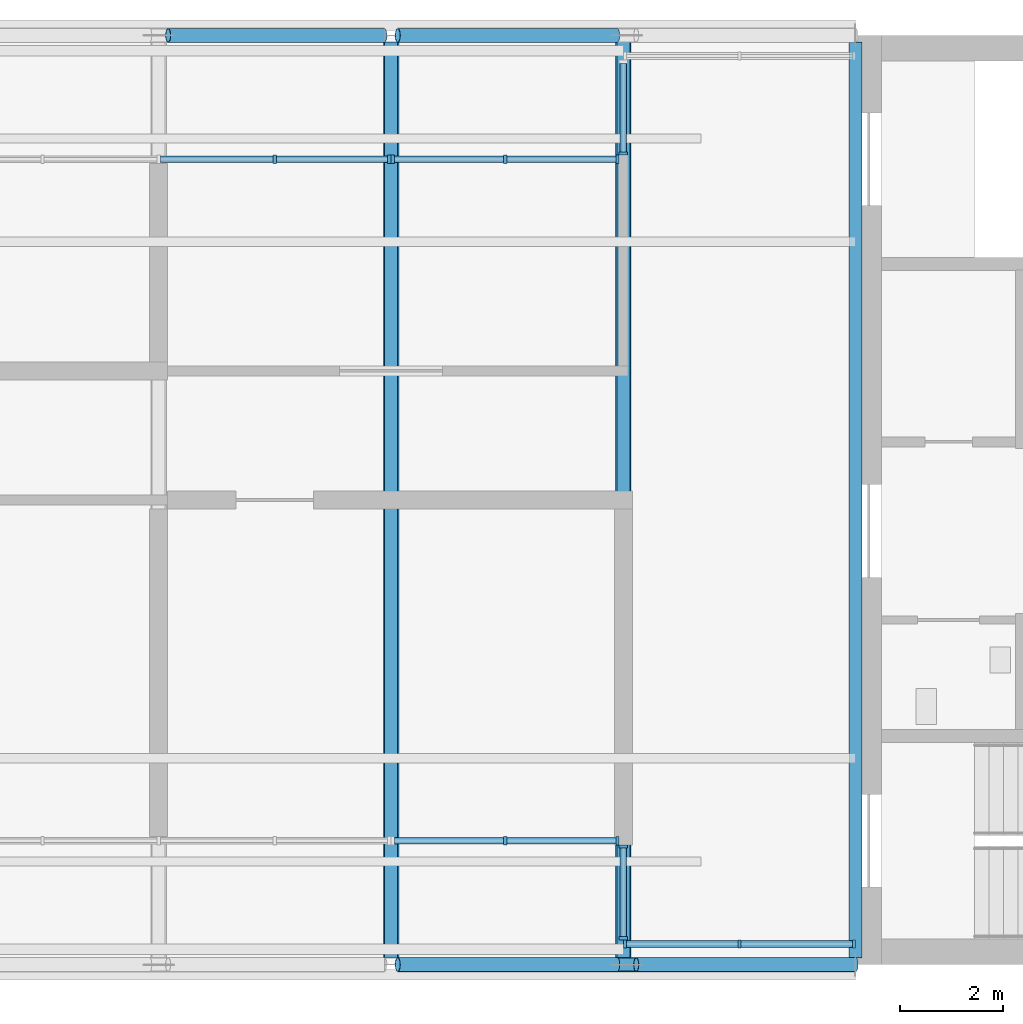
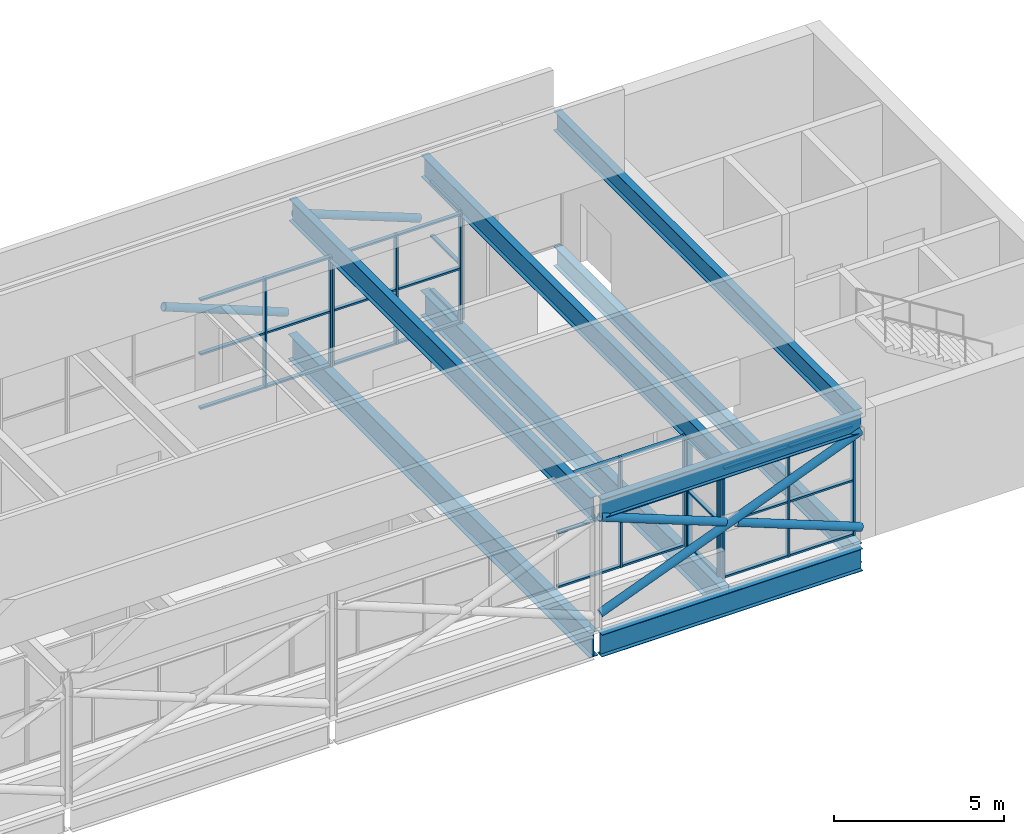
# One storey, part 4 of 13: 48 members, 8 beams, 6 elements without a shape of their own.
"""IFC4 building model written with IfcOpenShell, lengths in metres."""

from ifc_helpers import new_model, si_unit, direction, frame, origin, origin_2d, place, context, subcontext, project, spatial, rectangle, hollow_circle, i_section, extrude, material, layer, layer_set, material_profile, profile_set, type_object, element, aggregate, save


model = new_model("IFC4")

# Units and contexts
model_context = context("Model", 3, precision=1e-05, world=origin(), true_north=direction((0.0, 1.0)))
body_context = subcontext(model_context, "Body", "Model", "MODEL_VIEW")
ifc_project = project(units=[si_unit("LENGTHUNIT", "METRE"), si_unit("AREAUNIT", "SQUARE_METRE"), si_unit("VOLUMEUNIT", "CUBIC_METRE"), si_unit("PLANEANGLEUNIT", "RADIAN"), si_unit("MASSUNIT", "GRAM", prefix="KILO")], contexts=[model_context])

# Site, building, storey
site_placement = place(None, origin())
site = spatial("IfcSite", under=ifc_project, at=site_placement, CompositionType="ELEMENT")
building_placement = place(site_placement, origin())
building = spatial("IfcBuilding", under=site, at=building_placement, Name="Corbel Yard City Hall", CompositionType="ELEMENT")
storey_placement = place(building_placement, frame((0.0, 0.0, 71.199951171875)))
storey = spatial("IfcBuildingStorey", under=building, at=storey_placement, Name="L17", CompositionType="ELEMENT", Elevation=71.199951171875)

# Members
ifc_material_1 = material(Name="Steel Grade C350L0", Category="steel")
ifc_material_profile_1 = material_profile(ifc_material_1, hollow_circle(Radius=0.136474609375, WallThickness=0.00927734375, at=origin_2d()), Name="273.1x9.3CHS")
ifc_profile_set_1 = profile_set([ifc_material_profile_1], Name="Steel Grade C350L0")
member_type_1 = type_object("IfcMemberType", Name="Crown brace 273.1x9.3CHS", PredefinedType="BRACE", material=ifc_profile_set_1)
member_1_placement = place(storey_placement, frame((36.1298828125, 99.0, 0.5), z_axis=(0.93155453229, 0.0, 0.363601641044), x_axis=(0.0, 1.0, 0.0)))
element("IfcMember", 1, at=member_1_placement, inside=storey, type_object=member_type_1, Name="Crown brace 273.1x9.3CHS BX1", PredefinedType="BRACE", context=body_context, shape_type="SweptSolid", body=[
    extrude(hollow_circle(Radius=0.136474609375, WallThickness=0.00927734375, at=origin_2d()), origin(), (0.0, 0.0, 1.0), 9.521728515625),
])
ifc_material_profile_2 = material_profile(ifc_material_1, hollow_circle(Radius=0.136474609375, WallThickness=0.00927734375, at=origin_2d()), Name="273.1x9.3CHS")
ifc_profile_set_2 = profile_set([ifc_material_profile_2], Name="Steel Grade C350L0")
member_type_2 = type_object("IfcMemberType", Name="Crown half brace 273.1x9.3CHS", PredefinedType="BRACE", material=ifc_profile_set_2)
member_2_placement = place(storey_placement, frame((36.1298828125, 99.0, 3.962158203125), z_axis=(0.931555075549, 0.0, -0.363600249202), x_axis=(0.0, 1.0, 0.0)))
element("IfcMember", 2, at=member_2_placement, inside=storey, type_object=member_type_2, Name="Crown half brace 273.1x9.3CHS BX2", PredefinedType="BRACE", context=body_context, shape_type="SweptSolid", body=[
    extrude(hollow_circle(Radius=0.136474609375, WallThickness=0.00927734375, at=origin_2d()), origin(), (0.0, 0.0, 1.0), 4.5625),
])
member_3_placement = place(storey_placement, frame((40.75, 99.0, 2.158935546875), z_axis=(0.931548000726, 0.0, -0.363618374594), x_axis=(0.0, 1.0, 0.0)))
element("IfcMember", 3, at=member_3_placement, inside=storey, type_object=member_type_2, Name="Crown half brace 273.1x9.3CHS BX2", PredefinedType="BRACE", context=body_context, shape_type="SweptSolid", body=[
    extrude(hollow_circle(Radius=0.136474609375, WallThickness=0.00927734375, at=origin_2d()), origin(), (0.0, 0.0, 1.0), 4.562255859375),
])
member_4_placement = place(storey_placement, frame((31.6826171875, 117.0, 2.15869140625), z_axis=(0.929720022455, 0.0, -0.368267131096), x_axis=(0.0, 1.0, 0.0)))
element("IfcMember", 4, at=member_4_placement, inside=storey, type_object=member_type_2, Name="Crown half brace 273.1x9.3CHS BX2", PredefinedType="BRACE", context=body_context, shape_type="SweptSolid", body=[
    extrude(hollow_circle(Radius=0.136474609375, WallThickness=0.00927734375, at=origin_2d()), origin(), (0.0, 0.0, 1.0), 4.504150390625),
])
member_5_placement = place(storey_placement, frame((36.1298828125, 117.0, 3.962158203125), z_axis=(0.931555075549, 0.0, -0.363600249202), x_axis=(0.0, 1.0, 0.0)))
element("IfcMember", 5, at=member_5_placement, inside=storey, type_object=member_type_2, Name="Crown half brace 273.1x9.3CHS BX2", PredefinedType="BRACE", context=body_context, shape_type="SweptSolid", body=[
    extrude(hollow_circle(Radius=0.136474609375, WallThickness=0.00927734375, at=origin_2d()), origin(), (0.0, 0.0, 1.0), 4.5625),
])

# Beams
ifc_material_2 = material(Name="Steel Grade 350", Category="steel")
ifc_material_profile_3 = material_profile(ifc_material_2, i_section(OverallWidth=0.25, OverallDepth=0.699951171875, WebThickness=0.010009765625, FlangeThickness=0.02001953125, at=origin_2d()), Name="700WB130")
ifc_profile_set_3 = profile_set([ifc_material_profile_3], Name="Steel Grade 350")
beam_type_1 = type_object("IfcBeamType", Name="Edge beam 700WB130", PredefinedType="BEAM", material=ifc_profile_set_3)
beam_1_placement = place(storey_placement, frame((36.1298828125, 99.0, 4.300048828125), z_axis=(1.0, 0.0, 0.0), x_axis=(0.0, 1.0, 0.0)))
element("IfcBeam", 6, at=beam_1_placement, inside=storey, type_object=beam_type_1, Name="Edge beam 700WB130 EB9 L17roof", PredefinedType="BEAM", context=body_context, shape_type="SweptSolid", body=[
    extrude(i_section(OverallWidth=0.25, OverallDepth=0.699951171875, WebThickness=0.010009765625, FlangeThickness=0.02001953125, at=origin_2d()), origin(), (0.0, 0.0, 1.0), 8.8701171875),
])
ifc_material_profile_4 = material_profile(ifc_material_2, i_section(OverallWidth=0.27490234375, OverallDepth=0.800048828125, WebThickness=0.010009765625, FlangeThickness=0.02001953125, at=origin_2d()), Name="800WB146")
ifc_profile_set_4 = profile_set([ifc_material_profile_4], Name="Steel Grade 350")
beam_type_2 = type_object("IfcBeamType", Name="Edge beam 800WB146", PredefinedType="BEAM", material=ifc_profile_set_4)
beam_2_placement = place(storey_placement, frame((36.1298828125, 99.0, -0.599853515625), z_axis=(1.0, 0.0, 0.0), x_axis=(0.0, 1.0, 0.0)))
element("IfcBeam", 7, at=beam_2_placement, inside=storey, type_object=beam_type_2, Name="Edge beam 800WB146 EB11 L17tower", PredefinedType="BEAM", context=body_context, shape_type="SweptSolid", body=[
    extrude(i_section(OverallWidth=0.27490234375, OverallDepth=0.800048828125, WebThickness=0.010009765625, FlangeThickness=0.02001953125, at=origin_2d()), origin(), (0.0, 0.0, 1.0), 8.8701171875),
])
ifc_material_profile_5 = material_profile(ifc_material_2, i_section(OverallWidth=0.25, OverallDepth=0.7919921875, WebThickness=0.010009765625, FlangeThickness=0.01611328125, at=origin_2d()), Name="800WB122")
ifc_profile_set_5 = profile_set([ifc_material_profile_5], Name="Steel Grade 350")
beam_type_3 = type_object("IfcBeamType", Name="Long-span beam 800WB122", PredefinedType="BEAM", material=ifc_profile_set_5)
beam_3_placement = place(storey_placement, frame((36.0, 99.1279296875, 4.254150390625), z_axis=(0.0, 1.0, 0.0), x_axis=(-1.0, 0.0, 0.0)))
element("IfcBeam", 8, at=beam_3_placement, inside=storey, type_object=beam_type_3, Name="Long-span beam 800WB122 SB21 L17roof", PredefinedType="BEAM", context=body_context, shape_type="SweptSolid", body=[
    extrude(i_section(OverallWidth=0.25, OverallDepth=0.7919921875, WebThickness=0.010009765625, FlangeThickness=0.01611328125, at=origin_2d()), origin(), (0.0, 0.0, 1.0), 17.744140625),
])
ifc_material_profile_6 = material_profile(ifc_material_2, i_section(OverallWidth=0.300048828125, OverallDepth=0.89990234375, WebThickness=0.011962890625, FlangeThickness=0.02001953125, at=origin_2d()), Name="900WB175")
ifc_profile_set_6 = profile_set([ifc_material_profile_6], Name="Steel Grade 350")
beam_type_4 = type_object("IfcBeamType", Name="Long-span beam 900WB175", PredefinedType="BEAM", material=ifc_profile_set_6)
beam_4_placement = place(storey_placement, frame((36.0, 99.1279296875, -0.64990234375), z_axis=(0.0, 1.0, 0.0), x_axis=(-1.0, 0.0, 0.0)))
element("IfcBeam", 9, at=beam_4_placement, inside=storey, type_object=beam_type_4, Name="Long-span beam 900WB175 SB4 L17tower", PredefinedType="BEAM", context=body_context, shape_type="SweptSolid", body=[
    extrude(i_section(OverallWidth=0.300048828125, OverallDepth=0.89990234375, WebThickness=0.011962890625, FlangeThickness=0.02001953125, at=origin_2d()), origin(), (0.0, 0.0, 1.0), 17.744140625),
])
ifc_material_profile_7 = material_profile(ifc_material_2, i_section(OverallWidth=0.25, OverallDepth=0.69189453125, WebThickness=0.010009765625, FlangeThickness=0.01611328125, at=origin_2d()), Name="700WB115")
ifc_profile_set_7 = profile_set([ifc_material_profile_7], Name="Steel Grade 350")
beam_type_5 = type_object("IfcBeamType", Name="Long-span edge beam 700WB115", PredefinedType="BEAM", material=ifc_profile_set_7)
beam_5_placement = place(storey_placement, frame((45.0, 99.125, 4.303955078125), z_axis=(0.0, 1.0, 0.0), x_axis=(-1.0, 0.0, 0.0)))
element("IfcBeam", 10, at=beam_5_placement, inside=storey, type_object=beam_type_5, Name="Long-span edge beam 700WB115 EB12 L17roof", PredefinedType="BEAM", context=body_context, shape_type="SweptSolid", body=[
    extrude(i_section(OverallWidth=0.25, OverallDepth=0.69189453125, WebThickness=0.010009765625, FlangeThickness=0.01611328125, at=origin_2d()), origin(), (0.0, 0.0, 1.0), 17.75),
])
ifc_material_profile_8 = material_profile(ifc_material_2, i_section(OverallWidth=0.25, OverallDepth=0.7099609375, WebThickness=0.010009765625, FlangeThickness=0.02490234375, at=origin_2d()), Name="700WB150")
ifc_profile_set_8 = profile_set([ifc_material_profile_8], Name="Steel Grade 350")
beam_type_6 = type_object("IfcBeamType", Name="Long-span edge beam 700WB150", PredefinedType="BEAM", material=ifc_profile_set_8)
beam_6_placement = place(storey_placement, frame((45.0, 99.137451171875, -0.554931640625), z_axis=(0.0, 1.0, 0.0), x_axis=(-1.0, 0.0, 0.0)))
element("IfcBeam", 11, at=beam_6_placement, inside=storey, type_object=beam_type_6, Name="Long-span edge beam 700WB150 EB8 L17tower", PredefinedType="BEAM", context=body_context, shape_type="SweptSolid", body=[
    extrude(i_section(OverallWidth=0.25, OverallDepth=0.7099609375, WebThickness=0.010009765625, FlangeThickness=0.02490234375, at=origin_2d()), origin(), (0.0, 0.0, 1.0), 17.72509765625),
])
ifc_material_profile_9 = material_profile(ifc_material_2, i_section(OverallWidth=0.25, OverallDepth=0.7919921875, WebThickness=0.010009765625, FlangeThickness=0.01611328125, at=origin_2d()), Name="800WB122")
ifc_profile_set_9 = profile_set([ifc_material_profile_9], Name="Steel Grade 350")
beam_type_7 = type_object("IfcBeamType", Name="Long-span secondary beam 800WB122", PredefinedType="JOIST", material=ifc_profile_set_9)
beam_7_placement = place(storey_placement, frame((40.5, 99.125, 4.254150390625), z_axis=(0.0, 1.0, 0.0), x_axis=(-1.0, 0.0, 0.0)))
element("IfcBeam", 12, at=beam_7_placement, inside=storey, type_object=beam_type_7, Name="Long-span secondary beam 800WB122 SB20 L17roof", PredefinedType="JOIST", context=body_context, shape_type="SweptSolid", body=[
    extrude(i_section(OverallWidth=0.25, OverallDepth=0.7919921875, WebThickness=0.010009765625, FlangeThickness=0.01611328125, at=origin_2d()), origin(), (0.0, 0.0, 1.0), 17.75),
])
ifc_material_profile_10 = material_profile(ifc_material_2, i_section(OverallWidth=0.300048828125, OverallDepth=0.89990234375, WebThickness=0.011962890625, FlangeThickness=0.02001953125, at=origin_2d()), Name="900WB175")
ifc_profile_set_10 = profile_set([ifc_material_profile_10], Name="Steel Grade 350")
beam_type_8 = type_object("IfcBeamType", Name="Long-span secondary beam 900WB175", PredefinedType="JOIST", material=ifc_profile_set_10)
beam_8_placement = place(storey_placement, frame((40.5, 99.137451171875, -0.64990234375), z_axis=(0.0, 1.0, 0.0), x_axis=(-1.0, 0.0, 0.0)))
element("IfcBeam", 13, at=beam_8_placement, inside=storey, type_object=beam_type_8, Name="Long-span secondary beam 900WB175 SB3 L17tower", PredefinedType="JOIST", context=body_context, shape_type="SweptSolid", body=[
    extrude(i_section(OverallWidth=0.300048828125, OverallDepth=0.89990234375, WebThickness=0.011962890625, FlangeThickness=0.02001953125, at=origin_2d()), origin(), (0.0, 0.0, 1.0), 17.72509765625),
])

# Curtain wall, members
ifc_material_3 = material(Name="Aluminium extrusion", Category="aluminium")
ifc_layer = layer(ifc_material_3, 0.159912109375)
ifc_layer_set = layer_set([ifc_layer], Name="Aluminium extrusion")
curtain_wall_type = type_object("IfcCurtainWallType", Name="CW8", PredefinedType="USERDEFINED", material=ifc_layer_set)
curtain_wall_1_placement = place(storey_placement, origin())
curtain_wall_1 = element("IfcCurtainWall", 14, at=curtain_wall_1_placement, inside=storey, type_object=curtain_wall_type, Name="Curtain wall CW8 L17", ObjectType="CURTAIN WALL", PredefinedType="USERDEFINED")
ifc_material_profile_11 = material_profile(ifc_material_3, rectangle(XDim=0.159912109375, YDim=0.06494140625, at=origin_2d()), Name="160x65")
ifc_profile_set_11 = profile_set([ifc_material_profile_11], Name="Aluminium extrusion")
member_type_3 = type_object("IfcMemberType", Name="ML8", PredefinedType="MULLION", material=ifc_profile_set_11)
member_6_placement = place(storey_placement, frame((38.2099609375, 101.39990234375, 0.0), z_axis=(0.0, 0.0, 1.0), x_axis=(0.0, 1.0, 0.0)))
member_6 = element("IfcMember", 15, at=member_6_placement, type_object=member_type_3, Name="CW8 mullion 2", PredefinedType="MULLION", context=body_context, shape_type="SweptSolid", body=[
    extrude(rectangle(XDim=0.159912109375, YDim=0.06494140625, at=origin_2d()), origin(), (0.0, 0.0, 1.0), 3.949951171875),
])
member_7_placement = place(storey_placement, frame((40.387451171875, 101.39990234375, 0.0), z_axis=(0.0, 0.0, 1.0), x_axis=(0.0, 1.0, 0.0)))
member_7 = element("IfcMember", 16, at=member_7_placement, type_object=member_type_3, Name="CW8 mullion 3", PredefinedType="MULLION", context=body_context, shape_type="SweptSolid", body=[
    extrude(rectangle(XDim=0.159912109375, YDim=0.06494140625, at=origin_2d()), origin(), (0.0, 0.0, 1.0), 3.949951171875),
])

curtain_wall_2_placement = place(storey_placement, origin())
curtain_wall_2 = element("IfcCurtainWall", 17, at=curtain_wall_2_placement, inside=storey, type_object=curtain_wall_type, Name="Curtain wall CW8 L17", ObjectType="CURTAIN WALL", PredefinedType="USERDEFINED")
member_8_placement = place(storey_placement, frame((40.532470703125, 99.39990234375, 0.0), z_axis=(0.0, 0.0, 1.0), x_axis=(0.0, 1.0, 0.0)))
member_8 = element("IfcMember", 18, at=member_8_placement, type_object=member_type_3, Name="CW8 mullion 1", PredefinedType="MULLION", context=body_context, shape_type="SweptSolid", body=[
    extrude(rectangle(XDim=0.159912109375, YDim=0.06494140625, at=origin_2d()), origin(), (0.0, 0.0, 1.0), 3.949951171875),
])
member_9_placement = place(storey_placement, frame((42.75, 99.39990234375, 0.0), z_axis=(0.0, 0.0, 1.0), x_axis=(0.0, 1.0, 0.0)))
member_9 = element("IfcMember", 19, at=member_9_placement, type_object=member_type_3, Name="CW8 mullion 2", PredefinedType="MULLION", context=body_context, shape_type="SweptSolid", body=[
    extrude(rectangle(XDim=0.159912109375, YDim=0.06494140625, at=origin_2d()), origin(), (0.0, 0.0, 1.0), 3.949951171875),
])
member_10_placement = place(storey_placement, frame((44.967529296875, 99.39990234375, 0.0), z_axis=(0.0, 0.0, 1.0), x_axis=(0.0, 1.0, 0.0)))
member_10 = element("IfcMember", 20, at=member_10_placement, type_object=member_type_3, Name="CW8 mullion 3", PredefinedType="MULLION", context=body_context, shape_type="SweptSolid", body=[
    extrude(rectangle(XDim=0.159912109375, YDim=0.06494140625, at=origin_2d()), origin(), (0.0, 0.0, 1.0), 3.949951171875),
])

curtain_wall_3_placement = place(storey_placement, origin())
curtain_wall_3 = element("IfcCurtainWall", 21, at=curtain_wall_3_placement, inside=storey, type_object=curtain_wall_type, Name="Curtain wall CW8 L17", ObjectType="CURTAIN WALL", PredefinedType="USERDEFINED")
member_11_placement = place(storey_placement, frame((40.5, 99.512451171875, 0.0), z_axis=(0.0, 0.0, 1.0), x_axis=(-1.0, 0.0, 0.0)))
member_11 = element("IfcMember", 22, at=member_11_placement, type_object=member_type_3, Name="CW8 mullion 1", PredefinedType="MULLION", context=body_context, shape_type="SweptSolid", body=[
    extrude(rectangle(XDim=0.159912109375, YDim=0.06494140625, at=origin_2d()), origin(), (0.0, 0.0, 1.0), 3.949951171875),
])
member_12_placement = place(storey_placement, frame((40.5, 101.28759765625, 0.0), z_axis=(0.0, 0.0, 1.0), x_axis=(-1.0, 0.0, 0.0)))
member_12 = element("IfcMember", 23, at=member_12_placement, type_object=member_type_3, Name="CW8 mullion 2", PredefinedType="MULLION", context=body_context, shape_type="SweptSolid", body=[
    extrude(rectangle(XDim=0.159912109375, YDim=0.06494140625, at=origin_2d()), origin(), (0.0, 0.0, 1.0), 3.949951171875),
])

curtain_wall_4_placement = place(storey_placement, origin())
curtain_wall_4 = element("IfcCurtainWall", 24, at=curtain_wall_4_placement, inside=storey, type_object=curtain_wall_type, Name="Curtain wall CW8 L17", ObjectType="CURTAIN WALL", PredefinedType="USERDEFINED")
member_13_placement = place(storey_placement, frame((33.75, 114.60009765625, 0.0), z_axis=(0.0, 0.0, 1.0), x_axis=(0.0, 1.0, 0.0)))
member_13 = element("IfcMember", 25, at=member_13_placement, type_object=member_type_3, Name="CW8 mullion 4", PredefinedType="MULLION", context=body_context, shape_type="SweptSolid", body=[
    extrude(rectangle(XDim=0.159912109375, YDim=0.06494140625, at=origin_2d()), origin(), (0.0, 0.0, 1.0), 3.949951171875),
])
member_14_placement = place(storey_placement, frame((35.967529296875, 114.60009765625, 0.0), z_axis=(0.0, 0.0, 1.0), x_axis=(0.0, 1.0, 0.0)))
member_14 = element("IfcMember", 26, at=member_14_placement, type_object=member_type_3, Name="CW8 mullion 5", PredefinedType="MULLION", context=body_context, shape_type="SweptSolid", body=[
    extrude(rectangle(XDim=0.159912109375, YDim=0.06494140625, at=origin_2d()), origin(), (0.0, 0.0, 1.0), 3.949951171875),
])

curtain_wall_5_placement = place(storey_placement, origin())
curtain_wall_5 = element("IfcCurtainWall", 27, at=curtain_wall_5_placement, inside=storey, type_object=curtain_wall_type, Name="Curtain wall CW8 L17", ObjectType="CURTAIN WALL", PredefinedType="USERDEFINED")
member_15_placement = place(storey_placement, frame((36.032470703125, 114.60009765625, 0.0), z_axis=(0.0, 0.0, 1.0), x_axis=(0.0, 1.0, 0.0)))
member_15 = element("IfcMember", 28, at=member_15_placement, type_object=member_type_3, Name="CW8 mullion 1", PredefinedType="MULLION", context=body_context, shape_type="SweptSolid", body=[
    extrude(rectangle(XDim=0.159912109375, YDim=0.06494140625, at=origin_2d()), origin(), (0.0, 0.0, 1.0), 3.949951171875),
])
member_16_placement = place(storey_placement, frame((38.2099609375, 114.60009765625, 0.0), z_axis=(0.0, 0.0, 1.0), x_axis=(0.0, 1.0, 0.0)))
member_16 = element("IfcMember", 29, at=member_16_placement, type_object=member_type_3, Name="CW8 mullion 2", PredefinedType="MULLION", context=body_context, shape_type="SweptSolid", body=[
    extrude(rectangle(XDim=0.159912109375, YDim=0.06494140625, at=origin_2d()), origin(), (0.0, 0.0, 1.0), 3.949951171875),
])
member_17_placement = place(storey_placement, frame((40.387451171875, 114.60009765625, 0.0), z_axis=(0.0, 0.0, 1.0), x_axis=(0.0, 1.0, 0.0)))
member_17 = element("IfcMember", 30, at=member_17_placement, type_object=member_type_3, Name="CW8 mullion 3", PredefinedType="MULLION", context=body_context, shape_type="SweptSolid", body=[
    extrude(rectangle(XDim=0.159912109375, YDim=0.06494140625, at=origin_2d()), origin(), (0.0, 0.0, 1.0), 3.949951171875),
])

# Curtain wall, member
curtain_wall_6_placement = place(storey_placement, origin())
curtain_wall_6 = element("IfcCurtainWall", 31, at=curtain_wall_6_placement, inside=storey, type_object=curtain_wall_type, Name="Curtain wall CW8 L17", ObjectType="CURTAIN WALL", PredefinedType="USERDEFINED")
member_18_placement = place(storey_placement, frame((40.5, 114.71240234375, 0.0), z_axis=(0.0, 0.0, 1.0), x_axis=(1.0, 0.0, 0.0)))
member_18 = element("IfcMember", 32, at=member_18_placement, type_object=member_type_3, Name="CW8 mullion 2", PredefinedType="MULLION", context=body_context, shape_type="SweptSolid", body=[
    extrude(rectangle(XDim=0.159912109375, YDim=0.06494140625, at=origin_2d()), origin(), (0.0, 0.0, 1.0), 3.949951171875),
])

# Member
ifc_material_profile_12 = material_profile(ifc_material_3, rectangle(XDim=0.1298828125, YDim=0.06494140625, at=origin_2d()), Name="130x65")
ifc_profile_set_12 = profile_set([ifc_material_profile_12], Name="Aluminium extrusion")
member_type_4 = type_object("IfcMemberType", Name="TR8", PredefinedType="USERDEFINED", material=ifc_profile_set_12)
member_19_placement = place(storey_placement, frame((36.06494140625, 101.39990234375, 0.032470703125), z_axis=(1.0, 0.0, 0.0), x_axis=(0.0, 1.0, 0.0)))
member_19 = element("IfcMember", 33, at=member_19_placement, type_object=member_type_4, Name="CW8 transom 1.1", ObjectType="TRANSOM", PredefinedType="USERDEFINED", context=body_context, shape_type="SweptSolid", body=[
    extrude(rectangle(XDim=0.1298828125, YDim=0.06494140625, at=origin_2d()), origin(), (0.0, 0.0, 1.0), 2.112548828125),
])

member_20_placement = place(storey_placement, frame((36.06494140625, 101.39990234375, 1.97509765625), z_axis=(1.0, 0.0, 0.0), x_axis=(0.0, 1.0, 0.0)))
member_20 = element("IfcMember", 34, at=member_20_placement, type_object=member_type_4, Name="CW8 transom 1.2", ObjectType="TRANSOM", PredefinedType="USERDEFINED", context=body_context, shape_type="SweptSolid", body=[
    extrude(rectangle(XDim=0.1298828125, YDim=0.06494140625, at=origin_2d()), origin(), (0.0, 0.0, 1.0), 2.112548828125),
])

member_21_placement = place(storey_placement, frame((36.06494140625, 101.39990234375, 3.91748046875), z_axis=(1.0, 0.0, 0.0), x_axis=(0.0, 1.0, 0.0)))
member_21 = element("IfcMember", 35, at=member_21_placement, type_object=member_type_4, Name="CW8 transom 1.3", ObjectType="TRANSOM", PredefinedType="USERDEFINED", context=body_context, shape_type="SweptSolid", body=[
    extrude(rectangle(XDim=0.1298828125, YDim=0.06494140625, at=origin_2d()), origin(), (0.0, 0.0, 1.0), 2.112548828125),
])

member_22_placement = place(storey_placement, frame((38.242431640625, 101.39990234375, 0.032470703125), z_axis=(1.0, 0.0, 0.0), x_axis=(0.0, 1.0, 0.0)))
member_22 = element("IfcMember", 36, at=member_22_placement, type_object=member_type_4, Name="CW8 transom 2.1", ObjectType="TRANSOM", PredefinedType="USERDEFINED", context=body_context, shape_type="SweptSolid", body=[
    extrude(rectangle(XDim=0.1298828125, YDim=0.06494140625, at=origin_2d()), origin(), (0.0, 0.0, 1.0), 2.112548828125),
])

member_23_placement = place(storey_placement, frame((38.242431640625, 101.39990234375, 1.97509765625), z_axis=(1.0, 0.0, 0.0), x_axis=(0.0, 1.0, 0.0)))
member_23 = element("IfcMember", 37, at=member_23_placement, type_object=member_type_4, Name="CW8 transom 2.2", ObjectType="TRANSOM", PredefinedType="USERDEFINED", context=body_context, shape_type="SweptSolid", body=[
    extrude(rectangle(XDim=0.1298828125, YDim=0.06494140625, at=origin_2d()), origin(), (0.0, 0.0, 1.0), 2.112548828125),
])

member_24_placement = place(storey_placement, frame((38.242431640625, 101.39990234375, 3.91748046875), z_axis=(1.0, 0.0, 0.0), x_axis=(0.0, 1.0, 0.0)))
member_24 = element("IfcMember", 38, at=member_24_placement, type_object=member_type_4, Name="CW8 transom 2.3", ObjectType="TRANSOM", PredefinedType="USERDEFINED", context=body_context, shape_type="SweptSolid", body=[
    extrude(rectangle(XDim=0.1298828125, YDim=0.06494140625, at=origin_2d()), origin(), (0.0, 0.0, 1.0), 2.112548828125),
])

aggregate(curtain_wall_1, [member_6, member_7, member_19, member_20, member_21, member_22, member_23, member_24])

member_25_placement = place(storey_placement, frame((40.56494140625, 99.39990234375, 0.032470703125), z_axis=(1.0, 0.0, 0.0), x_axis=(0.0, 1.0, 0.0)))
member_25 = element("IfcMember", 39, at=member_25_placement, type_object=member_type_4, Name="CW8 transom 1.1", ObjectType="TRANSOM", PredefinedType="USERDEFINED", context=body_context, shape_type="SweptSolid", body=[
    extrude(rectangle(XDim=0.1298828125, YDim=0.06494140625, at=origin_2d()), origin(), (0.0, 0.0, 1.0), 2.152587890625),
])

member_26_placement = place(storey_placement, frame((40.56494140625, 99.39990234375, 1.97509765625), z_axis=(1.0, 0.0, 0.0), x_axis=(0.0, 1.0, 0.0)))
member_26 = element("IfcMember", 40, at=member_26_placement, type_object=member_type_4, Name="CW8 transom 1.2", ObjectType="TRANSOM", PredefinedType="USERDEFINED", context=body_context, shape_type="SweptSolid", body=[
    extrude(rectangle(XDim=0.1298828125, YDim=0.06494140625, at=origin_2d()), origin(), (0.0, 0.0, 1.0), 2.152587890625),
])

member_27_placement = place(storey_placement, frame((40.56494140625, 99.39990234375, 3.91748046875), z_axis=(1.0, 0.0, 0.0), x_axis=(0.0, 1.0, 0.0)))
member_27 = element("IfcMember", 41, at=member_27_placement, type_object=member_type_4, Name="CW8 transom 1.3", ObjectType="TRANSOM", PredefinedType="USERDEFINED", context=body_context, shape_type="SweptSolid", body=[
    extrude(rectangle(XDim=0.1298828125, YDim=0.06494140625, at=origin_2d()), origin(), (0.0, 0.0, 1.0), 2.152587890625),
])

member_28_placement = place(storey_placement, frame((42.782470703125, 99.39990234375, 0.032470703125), z_axis=(1.0, 0.0, 0.0), x_axis=(0.0, 1.0, 0.0)))
member_28 = element("IfcMember", 42, at=member_28_placement, type_object=member_type_4, Name="CW8 transom 2.1", ObjectType="TRANSOM", PredefinedType="USERDEFINED", context=body_context, shape_type="SweptSolid", body=[
    extrude(rectangle(XDim=0.1298828125, YDim=0.06494140625, at=origin_2d()), origin(), (0.0, 0.0, 1.0), 2.152587890625),
])

member_29_placement = place(storey_placement, frame((42.782470703125, 99.39990234375, 1.97509765625), z_axis=(1.0, 0.0, 0.0), x_axis=(0.0, 1.0, 0.0)))
member_29 = element("IfcMember", 43, at=member_29_placement, type_object=member_type_4, Name="CW8 transom 2.2", ObjectType="TRANSOM", PredefinedType="USERDEFINED", context=body_context, shape_type="SweptSolid", body=[
    extrude(rectangle(XDim=0.1298828125, YDim=0.06494140625, at=origin_2d()), origin(), (0.0, 0.0, 1.0), 2.152587890625),
])

member_30_placement = place(storey_placement, frame((42.782470703125, 99.39990234375, 3.91748046875), z_axis=(1.0, 0.0, 0.0), x_axis=(0.0, 1.0, 0.0)))
member_30 = element("IfcMember", 44, at=member_30_placement, type_object=member_type_4, Name="CW8 transom 2.3", ObjectType="TRANSOM", PredefinedType="USERDEFINED", context=body_context, shape_type="SweptSolid", body=[
    extrude(rectangle(XDim=0.1298828125, YDim=0.06494140625, at=origin_2d()), origin(), (0.0, 0.0, 1.0), 2.152587890625),
])

aggregate(curtain_wall_2, [member_8, member_9, member_10, member_25, member_26, member_27, member_28, member_29, member_30])

member_31_placement = place(storey_placement, frame((40.5, 99.544921875, 0.032470703125), z_axis=(0.0, 1.0, 0.0), x_axis=(-1.0, 0.0, 0.0)))
member_31 = element("IfcMember", 45, at=member_31_placement, type_object=member_type_4, Name="CW8 transom 1.1", ObjectType="TRANSOM", PredefinedType="USERDEFINED", context=body_context, shape_type="SweptSolid", body=[
    extrude(rectangle(XDim=0.1298828125, YDim=0.06494140625, at=origin_2d()), origin(), (0.0, 0.0, 1.0), 1.7099609375),
])

member_32_placement = place(storey_placement, frame((40.5, 99.544921875, 1.97509765625), z_axis=(0.0, 1.0, 0.0), x_axis=(-1.0, 0.0, 0.0)))
member_32 = element("IfcMember", 46, at=member_32_placement, type_object=member_type_4, Name="CW8 transom 1.2", ObjectType="TRANSOM", PredefinedType="USERDEFINED", context=body_context, shape_type="SweptSolid", body=[
    extrude(rectangle(XDim=0.1298828125, YDim=0.06494140625, at=origin_2d()), origin(), (0.0, 0.0, 1.0), 1.7099609375),
])

member_33_placement = place(storey_placement, frame((40.5, 99.544921875, 3.91748046875), z_axis=(0.0, 1.0, 0.0), x_axis=(-1.0, 0.0, 0.0)))
member_33 = element("IfcMember", 47, at=member_33_placement, type_object=member_type_4, Name="CW8 transom 1.3", ObjectType="TRANSOM", PredefinedType="USERDEFINED", context=body_context, shape_type="SweptSolid", body=[
    extrude(rectangle(XDim=0.1298828125, YDim=0.06494140625, at=origin_2d()), origin(), (0.0, 0.0, 1.0), 1.7099609375),
])

aggregate(curtain_wall_3, [member_11, member_12, member_31, member_32, member_33])

member_34_placement = place(storey_placement, frame((31.532470703125, 114.60009765625, 0.032470703125), z_axis=(1.0, 0.0, 0.0), x_axis=(0.0, 1.0, 0.0)))
member_34 = element("IfcMember", 48, at=member_34_placement, type_object=member_type_4, Name="CW8 transom 3.1", ObjectType="TRANSOM", PredefinedType="USERDEFINED", context=body_context, shape_type="SweptSolid", body=[
    extrude(rectangle(XDim=0.1298828125, YDim=0.06494140625, at=origin_2d()), origin(), (0.0, 0.0, 1.0), 2.18505859375),
])

member_35_placement = place(storey_placement, frame((31.532470703125, 114.60009765625, 1.97509765625), z_axis=(1.0, 0.0, 0.0), x_axis=(0.0, 1.0, 0.0)))
member_35 = element("IfcMember", 49, at=member_35_placement, type_object=member_type_4, Name="CW8 transom 3.2", ObjectType="TRANSOM", PredefinedType="USERDEFINED", context=body_context, shape_type="SweptSolid", body=[
    extrude(rectangle(XDim=0.1298828125, YDim=0.06494140625, at=origin_2d()), origin(), (0.0, 0.0, 1.0), 2.18505859375),
])

member_36_placement = place(storey_placement, frame((31.532470703125, 114.60009765625, 3.91748046875), z_axis=(1.0, 0.0, 0.0), x_axis=(0.0, 1.0, 0.0)))
member_36 = element("IfcMember", 50, at=member_36_placement, type_object=member_type_4, Name="CW8 transom 3.3", ObjectType="TRANSOM", PredefinedType="USERDEFINED", context=body_context, shape_type="SweptSolid", body=[
    extrude(rectangle(XDim=0.1298828125, YDim=0.06494140625, at=origin_2d()), origin(), (0.0, 0.0, 1.0), 2.18505859375),
])

member_37_placement = place(storey_placement, frame((33.782470703125, 114.60009765625, 0.032470703125), z_axis=(1.0, 0.0, 0.0), x_axis=(0.0, 1.0, 0.0)))
member_37 = element("IfcMember", 51, at=member_37_placement, type_object=member_type_4, Name="CW8 transom 4.1", ObjectType="TRANSOM", PredefinedType="USERDEFINED", context=body_context, shape_type="SweptSolid", body=[
    extrude(rectangle(XDim=0.1298828125, YDim=0.06494140625, at=origin_2d()), origin(), (0.0, 0.0, 1.0), 2.152587890625),
])

member_38_placement = place(storey_placement, frame((33.782470703125, 114.60009765625, 1.97509765625), z_axis=(1.0, 0.0, 0.0), x_axis=(0.0, 1.0, 0.0)))
member_38 = element("IfcMember", 52, at=member_38_placement, type_object=member_type_4, Name="CW8 transom 4.2", ObjectType="TRANSOM", PredefinedType="USERDEFINED", context=body_context, shape_type="SweptSolid", body=[
    extrude(rectangle(XDim=0.1298828125, YDim=0.06494140625, at=origin_2d()), origin(), (0.0, 0.0, 1.0), 2.152587890625),
])

member_39_placement = place(storey_placement, frame((33.782470703125, 114.60009765625, 3.91748046875), z_axis=(1.0, 0.0, 0.0), x_axis=(0.0, 1.0, 0.0)))
member_39 = element("IfcMember", 53, at=member_39_placement, type_object=member_type_4, Name="CW8 transom 4.3", ObjectType="TRANSOM", PredefinedType="USERDEFINED", context=body_context, shape_type="SweptSolid", body=[
    extrude(rectangle(XDim=0.1298828125, YDim=0.06494140625, at=origin_2d()), origin(), (0.0, 0.0, 1.0), 2.152587890625),
])

aggregate(curtain_wall_4, [member_13, member_14, member_34, member_35, member_36, member_37, member_38, member_39])

member_40_placement = place(storey_placement, frame((36.06494140625, 114.60009765625, 0.032470703125), z_axis=(1.0, 0.0, 0.0), x_axis=(0.0, 1.0, 0.0)))
member_40 = element("IfcMember", 54, at=member_40_placement, type_object=member_type_4, Name="CW8 transom 1.1", ObjectType="TRANSOM", PredefinedType="USERDEFINED", context=body_context, shape_type="SweptSolid", body=[
    extrude(rectangle(XDim=0.1298828125, YDim=0.06494140625, at=origin_2d()), origin(), (0.0, 0.0, 1.0), 2.112548828125),
])

member_41_placement = place(storey_placement, frame((36.06494140625, 114.60009765625, 1.97509765625), z_axis=(1.0, 0.0, 0.0), x_axis=(0.0, 1.0, 0.0)))
member_41 = element("IfcMember", 55, at=member_41_placement, type_object=member_type_4, Name="CW8 transom 1.2", ObjectType="TRANSOM", PredefinedType="USERDEFINED", context=body_context, shape_type="SweptSolid", body=[
    extrude(rectangle(XDim=0.1298828125, YDim=0.06494140625, at=origin_2d()), origin(), (0.0, 0.0, 1.0), 2.112548828125),
])

member_42_placement = place(storey_placement, frame((36.06494140625, 114.60009765625, 3.91748046875), z_axis=(1.0, 0.0, 0.0), x_axis=(0.0, 1.0, 0.0)))
member_42 = element("IfcMember", 56, at=member_42_placement, type_object=member_type_4, Name="CW8 transom 1.3", ObjectType="TRANSOM", PredefinedType="USERDEFINED", context=body_context, shape_type="SweptSolid", body=[
    extrude(rectangle(XDim=0.1298828125, YDim=0.06494140625, at=origin_2d()), origin(), (0.0, 0.0, 1.0), 2.112548828125),
])

member_43_placement = place(storey_placement, frame((38.242431640625, 114.60009765625, 0.032470703125), z_axis=(1.0, 0.0, 0.0), x_axis=(0.0, 1.0, 0.0)))
member_43 = element("IfcMember", 57, at=member_43_placement, type_object=member_type_4, Name="CW8 transom 2.1", ObjectType="TRANSOM", PredefinedType="USERDEFINED", context=body_context, shape_type="SweptSolid", body=[
    extrude(rectangle(XDim=0.1298828125, YDim=0.06494140625, at=origin_2d()), origin(), (0.0, 0.0, 1.0), 2.112548828125),
])

member_44_placement = place(storey_placement, frame((38.242431640625, 114.60009765625, 1.97509765625), z_axis=(1.0, 0.0, 0.0), x_axis=(0.0, 1.0, 0.0)))
member_44 = element("IfcMember", 58, at=member_44_placement, type_object=member_type_4, Name="CW8 transom 2.2", ObjectType="TRANSOM", PredefinedType="USERDEFINED", context=body_context, shape_type="SweptSolid", body=[
    extrude(rectangle(XDim=0.1298828125, YDim=0.06494140625, at=origin_2d()), origin(), (0.0, 0.0, 1.0), 2.112548828125),
])

member_45_placement = place(storey_placement, frame((38.242431640625, 114.60009765625, 3.91748046875), z_axis=(1.0, 0.0, 0.0), x_axis=(0.0, 1.0, 0.0)))
member_45 = element("IfcMember", 59, at=member_45_placement, type_object=member_type_4, Name="CW8 transom 2.3", ObjectType="TRANSOM", PredefinedType="USERDEFINED", context=body_context, shape_type="SweptSolid", body=[
    extrude(rectangle(XDim=0.1298828125, YDim=0.06494140625, at=origin_2d()), origin(), (0.0, 0.0, 1.0), 2.112548828125),
])

aggregate(curtain_wall_5, [member_15, member_16, member_17, member_40, member_41, member_42, member_43, member_44, member_45])

member_46_placement = place(storey_placement, frame((40.5, 116.455078125, 0.032470703125), z_axis=(0.0, -1.0, 0.0), x_axis=(1.0, 0.0, 0.0)))
member_46 = element("IfcMember", 60, at=member_46_placement, type_object=member_type_4, Name="CW8 transom 1.1", ObjectType="TRANSOM", PredefinedType="USERDEFINED", context=body_context, shape_type="SweptSolid", body=[
    extrude(rectangle(XDim=0.1298828125, YDim=0.06494140625, at=origin_2d()), origin(), (0.0, 0.0, 1.0), 1.7099609375),
])

member_47_placement = place(storey_placement, frame((40.5, 116.455078125, 1.97509765625), z_axis=(0.0, -1.0, 0.0), x_axis=(1.0, 0.0, 0.0)))
member_47 = element("IfcMember", 61, at=member_47_placement, type_object=member_type_4, Name="CW8 transom 1.2", ObjectType="TRANSOM", PredefinedType="USERDEFINED", context=body_context, shape_type="SweptSolid", body=[
    extrude(rectangle(XDim=0.1298828125, YDim=0.06494140625, at=origin_2d()), origin(), (0.0, 0.0, 1.0), 1.7099609375),
])

member_48_placement = place(storey_placement, frame((40.5, 116.455078125, 3.91748046875), z_axis=(0.0, -1.0, 0.0), x_axis=(1.0, 0.0, 0.0)))
member_48 = element("IfcMember", 62, at=member_48_placement, type_object=member_type_4, Name="CW8 transom 1.3", ObjectType="TRANSOM", PredefinedType="USERDEFINED", context=body_context, shape_type="SweptSolid", body=[
    extrude(rectangle(XDim=0.1298828125, YDim=0.06494140625, at=origin_2d()), origin(), (0.0, 0.0, 1.0), 1.7099609375),
])

aggregate(curtain_wall_6, [member_18, member_46, member_47, member_48])

save(model, "model.ifc")
